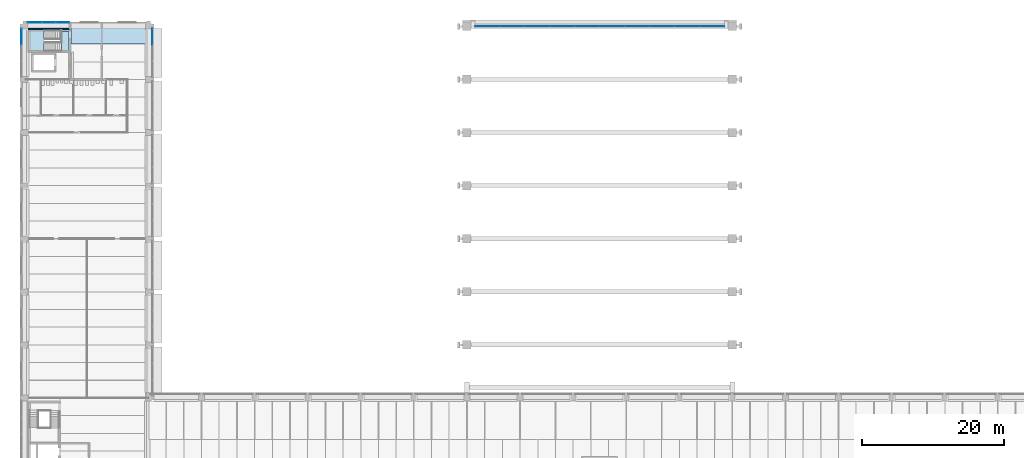
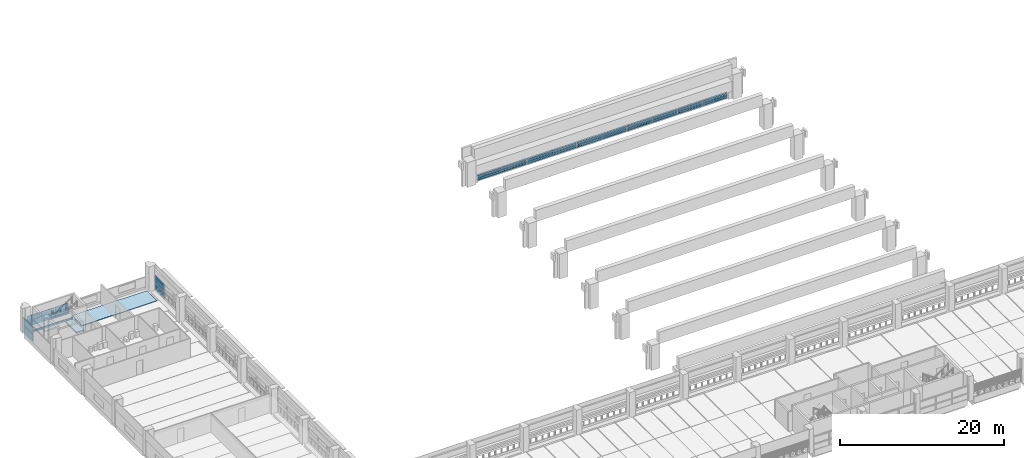
# One storey, part 29 of 61: 41 plates, 4 slabs, 9 elements without a shape of their own.
"""IFC4 building model written with IfcOpenShell, lengths in metres."""

import ifcopenshell
import ifcopenshell.guid

model = None  # the IFC model being written
_history = None  # IfcOwnerHistory: only IFC2X3 demands one
_inside = {}  # id of a spatial element -> (the spatial element, [elements in it])
_under = {}  # id of a project, library or spatial element -> (it, [spatial elements below it])
_declared = {}  # id of a project -> (the project, [libraries it declares])
_typed = {}  # id of a type object -> (the type object, [elements of that type])
_made_of = {}  # id of a material, layer set ... -> (it, [elements and type objects made of it])


def new_model(schema):
    """Start an empty IFC model of exactly this schema.

    Asked for "IFC4X3", IfcOpenShell would pick the latest addendum, in which some entities
    have other attributes; the version numbers below select the first issue.
    IFC2X3 requires an IfcOwnerHistory on every rooted entity: one is made here for all.
    """
    global model, _history
    if schema == "IFC4X3":
        model = ifcopenshell.file(schema_version=(4, 3, 0, 0))
    else:
        model = ifcopenshell.file(schema=schema)
    _inside.clear()
    _under.clear()
    _declared.clear()
    _typed.clear()
    _made_of.clear()
    _history = None
    if model.schema == "IFC2X3":
        org = make("IfcOrganization", Name="unknown")
        user = make(
            "IfcPersonAndOrganization",
            ThePerson=make("IfcPerson", FamilyName="unknown"),
            TheOrganization=org,
        )
        app = make(
            "IfcApplication",
            ApplicationDeveloper=org,
            Version="unknown",
            ApplicationFullName="unknown",
            ApplicationIdentifier="unknown",
        )
        _history = make(
            "IfcOwnerHistory",
            OwningUser=user,
            OwningApplication=app,
            ChangeAction="ADDED",
            CreationDate=0,
        )
    return model


def make(cls, **values):
    """One entity of the class cls with the attributes given. An attribute that is None is left unset."""
    return model.create_entity(
        cls, **{name: value for name, value in values.items() if value is not None}
    )


def rooted(cls, **values):
    """An entity with a GlobalId (a new one), such as an element, a storey or a relation."""
    return make(cls, GlobalId=ifcopenshell.guid.new(), OwnerHistory=_history, **values)


def si_unit(unit_type, name, prefix=None):
    """IfcSIUnit, for example si_unit("LENGTHUNIT", "METRE", prefix="MILLI")."""
    return make("IfcSIUnit", UnitType=unit_type, Prefix=prefix, Name=name)


def assignment(units):
    """IfcUnitAssignment: the units of a project."""
    return None if units is None else make("IfcUnitAssignment", Units=units)


def point(xyz):
    """IfcCartesianPoint."""
    return None if xyz is None else make("IfcCartesianPoint", Coordinates=xyz)


def direction(xyz):
    """IfcDirection."""
    return None if xyz is None else make("IfcDirection", DirectionRatios=xyz)


def frame(location, z_axis=None, x_axis=None):
    """IfcAxis2Placement3D, a coordinate frame: its origin and axes. An axis left out is left unset."""
    return make(
        "IfcAxis2Placement3D",
        Location=point(location),
        Axis=direction(z_axis),
        RefDirection=direction(x_axis),
    )


def frame_2d(location, x_axis=None):
    """IfcAxis2Placement2D, a coordinate frame in the plane: its origin and x axis."""
    return make(
        "IfcAxis2Placement2D", Location=point(location), RefDirection=direction(x_axis)
    )


def origin():
    """The frame at (0, 0, 0) with its axes left unset."""
    return frame((0.0, 0.0, 0.0))


def origin_2d():
    """The frame at (0, 0) in the plane with its x axis left unset."""
    return frame_2d((0.0, 0.0))


def place(relative_to, where):
    """IfcLocalPlacement: puts the frame where relative to a parent placement (None: the world)."""
    return make(
        "IfcLocalPlacement", PlacementRelTo=relative_to, RelativePlacement=where
    )


def context(
    kind, dimensions, precision=None, world=None, true_north=None, identifier=None
):
    """IfcGeometricRepresentationContext, for example the 3D "Model" context."""
    return make(
        "IfcGeometricRepresentationContext",
        ContextIdentifier=identifier,
        ContextType=kind,
        CoordinateSpaceDimension=dimensions,
        Precision=precision,
        WorldCoordinateSystem=world,
        TrueNorth=true_north,
    )


def subcontext(parent, identifier, kind, view, scale=None):
    """IfcGeometricRepresentationSubContext, for example "Body" below "Model"."""
    return make(
        "IfcGeometricRepresentationSubContext",
        ContextIdentifier=identifier,
        ContextType=kind,
        ParentContext=parent,
        TargetScale=scale,
        TargetView=view,
    )


def project(units=None, contexts=None):
    """IfcProject with its units and contexts."""
    return rooted(
        "IfcProject",
        Name="project",
        RepresentationContexts=contexts,
        UnitsInContext=assignment(units),
    )


def spatial(cls, under=None, at=None, **own):
    """A site, building, storey or space (cls), placed at a placement, below another one or the project."""
    s = rooted(cls, ObjectPlacement=at, **own)
    if under is not None:
        _under.setdefault(under.id(), (under, []))[1].append(s)
    return s


def polyline(points):
    """IfcPolyline through the points."""
    return make("IfcPolyline", Points=[point(p) for p in points])


def profile(cls, at=None, kind="AREA", **sizes):
    """A parametric profile (cls). Its sizes go by their IFC names, for example OverallWidth=200.0."""
    return make(cls, ProfileType=kind, Position=at, **sizes)


def rectangle(**sizes):
    """IfcRectangleProfileDef."""
    return profile("IfcRectangleProfileDef", **sizes)


def outline(outer, holes=None, kind="AREA"):
    """IfcArbitraryClosedProfileDef: a profile drawn as a closed curve; with holes, ...WithVoids."""
    if holes is None:
        return make("IfcArbitraryClosedProfileDef", ProfileType=kind, OuterCurve=outer)
    return make(
        "IfcArbitraryProfileDefWithVoids",
        ProfileType=kind,
        OuterCurve=outer,
        InnerCurves=holes,
    )


def extrude(swept, where, along, depth):
    """IfcExtrudedAreaSolid: the profile swept, set in the frame where, extruded along a direction by depth."""
    return make(
        "IfcExtrudedAreaSolid",
        SweptArea=swept,
        Position=where,
        ExtrudedDirection=direction(along),
        Depth=depth,
    )


def shape(context_of_items, identifier, shape_type, items):
    """IfcShapeRepresentation: the items that make up one representation, for example the "Body"."""
    return make(
        "IfcShapeRepresentation",
        ContextOfItems=context_of_items,
        RepresentationIdentifier=identifier,
        RepresentationType=shape_type,
        Items=items,
    )


def material(Name=None, Category=None):
    """IfcMaterial."""
    return make("IfcMaterial", Name=Name, Category=Category)


def layer(
    of_material, thickness, ventilated=None, Name=None, Category=None, Priority=None
):
    """IfcMaterialLayer: one layer of a wall or slab, of a material (None: an air gap)."""
    return make(
        "IfcMaterialLayer",
        Material=of_material,
        LayerThickness=thickness,
        IsVentilated=ventilated,
        Name=Name,
        Category=Category,
        Priority=Priority,
    )


def layer_set(layers, Name=None):
    """IfcMaterialLayerSet."""
    return make("IfcMaterialLayerSet", MaterialLayers=layers, LayerSetName=Name)


def material_profile(
    of_material, cross_section, Name=None, Category=None, Priority=None
):
    """IfcMaterialProfile: a cross section and its material."""
    return make(
        "IfcMaterialProfile",
        Name=Name,
        Material=of_material,
        Profile=cross_section,
        Priority=Priority,
        Category=Category,
    )


def profile_set(profiles, Name=None, composite=None):
    """IfcMaterialProfileSet."""
    return make(
        "IfcMaterialProfileSet",
        Name=Name,
        MaterialProfiles=profiles,
        CompositeProfile=composite,
    )


def made_of(thing, what):
    """Note that an element or type object is made of a material, layer set ...; save() writes the relation."""
    if what is not None:
        _made_of.setdefault(what.id(), (what, []))[1].append(thing)
    return thing


def type_object(cls, material=None, **own):
    """A type object (cls), such as IfcWallType, which elements share."""
    return made_of(rooted(cls, **own), material)


def element(
    cls,
    number,
    at=None,
    inside=None,
    cuts=None,
    type_object=None,
    material=None,
    context=None,
    identifier="Body",
    shape_type=None,
    held_by="IfcProductDefinitionShape",
    body=None,
    shapes=None,
    **own,
):
    """One element of the class cls, such as IfcWall. Its Tag is "e" and its number.

    at: its placement. inside: the storey or other place that contains it. cuts: it is an
    opening in that element (IfcRelVoidsElement). A single representation is given by context,
    identifier, shape_type and body (its items); several are given by shapes. held_by: the class
    of the entity that holds the representations. save() writes the other relations.
    """
    e = rooted(cls, Tag="e%d" % number, ObjectPlacement=at, **own)
    if body is not None:
        shapes = [shape(context, identifier, shape_type, body)]
    if shapes is not None:
        e.Representation = make(held_by, Representations=shapes)
    if inside is not None:
        _inside.setdefault(inside.id(), (inside, []))[1].append(e)
    if cuts is not None:
        rooted(
            "IfcRelVoidsElement", RelatingBuildingElement=cuts, RelatedOpeningElement=e
        )
    if type_object is not None:
        _typed.setdefault(type_object.id(), (type_object, []))[1].append(e)
    return made_of(e, material)


def aggregate(whole, parts):
    """IfcRelAggregates: a whole, such as a stair, and the parts it consists of."""
    return rooted("IfcRelAggregates", RelatingObject=whole, RelatedObjects=parts)


def save(model, path):
    """Write the relations noted so far, then the file.

    IfcRelAggregates (storeys below a building ...), IfcRelContainedInSpatialStructure (elements
    in a storey), IfcRelDefinesByType, IfcRelAssociatesMaterial and IfcRelDeclares: one each for
    every whole, place, type object, material and project.
    """
    for whole, parts in _under.values():
        aggregate(whole, parts)
    for where, things in _inside.values():
        rooted(
            "IfcRelContainedInSpatialStructure",
            RelatedElements=things,
            RelatingStructure=where,
        )
    for kind, things in _typed.values():
        rooted("IfcRelDefinesByType", RelatedObjects=things, RelatingType=kind)
    for what, things in _made_of.values():
        rooted("IfcRelAssociatesMaterial", RelatedObjects=things, RelatingMaterial=what)
    for by, libraries in _declared.values():
        rooted("IfcRelDeclares", RelatingContext=by, RelatedDefinitions=libraries)
    model.write(path)


model = new_model("IFC4")

# Units and contexts
model_context = context("Model", 3, precision=1e-05, world=origin(), true_north=direction((0.0, 1.0)))
body_context = subcontext(model_context, "Body", "Model", "MODEL_VIEW")
ifc_project = project(units=[si_unit("LENGTHUNIT", "METRE"), si_unit("AREAUNIT", "SQUARE_METRE"), si_unit("VOLUMEUNIT", "CUBIC_METRE"), si_unit("PLANEANGLEUNIT", "RADIAN"), si_unit("MASSUNIT", "GRAM", prefix="KILO")], contexts=[model_context])

# Site, building, storey
site_placement = place(None, origin())
site = spatial("IfcSite", under=ifc_project, at=site_placement, CompositionType="ELEMENT")
building_placement = place(site_placement, origin())
building = spatial("IfcBuilding", under=site, at=building_placement, Name="Cour d'Honneur Mobility Palace", CompositionType="ELEMENT")
storey_placement = place(building_placement, frame((0.0, 0.0, 11.89990234375)))
storey = spatial("IfcBuildingStorey", under=building, at=storey_placement, Name="L03", CompositionType="ELEMENT", Elevation=11.89990234375)

# Slabs
ifc_material_1 = material(Name="Concrete C50", Category="concrete")
ifc_layer_1 = layer(ifc_material_1, 0.25)
ifc_layer_set_1 = layer_set([ifc_layer_1], Name="Concrete C50")
slab_type_1 = type_object("IfcSlabType", Name="Cast-in-place Slab 250", PredefinedType="FLOOR", material=ifc_layer_set_1)
slab_1_placement = place(storey_placement, frame((0.0, 0.0, -0.25)))
element("IfcSlab", 1, at=slab_1_placement, inside=storey, type_object=slab_type_1, Name="Cast-in-place slab S1 L03 core", PredefinedType="FLOOR", context=body_context, shape_type="SweptSolid", body=[
    extrude(outline(polyline([(0.449951171875, 114.625), (6.300048828125, 114.625), (6.300048828125, 114.449951171875), (0.449951171875, 114.449951171875), (0.449951171875, 114.625)])), origin(), (0.0, 0.0, 1.0), 0.25),
])
slab_2_placement = place(storey_placement, frame((0.0, 0.0, -0.25)))
element("IfcSlab", 2, at=slab_2_placement, inside=storey, type_object=slab_type_1, Name="Cast-in-place slab S1 L03 core", PredefinedType="FLOOR", context=body_context, shape_type="SweptSolid", body=[
    extrude(outline(polyline([(6.175048828125, 111.52490234375), (5.10009765625, 111.52490234375), (5.10009765625, 114.199951171875), (6.175048828125, 114.199951171875), (6.175048828125, 111.52490234375)])), origin(), (0.0, 0.0, 1.0), 0.25),
])

# Curtain wall, plates
ifc_material_2 = material(Name="Aluminium and glass", Category="aluminium")
ifc_layer_2 = layer(ifc_material_2, 0.10009765625)
ifc_layer_set_2 = layer_set([ifc_layer_2], Name="Aluminium and glass")
curtain_wall_type = type_object("IfcCurtainWallType", Name="Curtain wall run", PredefinedType="NOTDEFINED", material=ifc_layer_set_2)
curtain_wall_1_placement = place(storey_placement, origin())
curtain_wall_1 = element("IfcCurtainWall", 3, at=curtain_wall_1_placement, inside=storey, type_object=curtain_wall_type, Name="Curtain wall CW-36", PredefinedType="NOTDEFINED")
ifc_material_3 = material(Name="Double glazing", Category="glass")
ifc_layer_3 = layer(ifc_material_3, 0.028076171875)
ifc_layer_set_3 = layer_set([ifc_layer_3], Name="Double glazing")
plate_type = type_object("IfcPlateType", Name="Curtain wall panel", PredefinedType="CURTAIN_PANEL", material=ifc_layer_set_3)
plate_1_placement = place(storey_placement, frame((17.949951171875, 113.43505859375, 0.06005859375), z_axis=(0.0, 0.0, 1.0), x_axis=(0.0, 1.0, 0.0)))
plate_1 = element("IfcPlate", 4, at=plate_1_placement, type_object=plate_type, Name="CW-36 panel 3.1", PredefinedType="CURTAIN_PANEL", context=body_context, shape_type="SweptSolid", body=[
    extrude(rectangle(XDim=2.2099609375, YDim=0.028076171875, at=origin_2d()), origin(), (0.0, 0.0, 1.0), 0.6767578125),
])
plate_2_placement = place(storey_placement, frame((17.949951171875, 113.43505859375, 0.796875), z_axis=(0.0, 0.0, 1.0), x_axis=(0.0, 1.0, 0.0)))
plate_2 = element("IfcPlate", 5, at=plate_2_placement, type_object=plate_type, Name="CW-36 panel 3.2", PredefinedType="CURTAIN_PANEL", context=body_context, shape_type="SweptSolid", body=[
    extrude(rectangle(XDim=2.2099609375, YDim=0.028076171875, at=origin_2d()), origin(), (0.0, 0.0, 1.0), 0.706787109375),
])
plate_3_placement = place(storey_placement, frame((17.949951171875, 113.43505859375, 1.5634765625), z_axis=(0.0, 0.0, 1.0), x_axis=(0.0, 1.0, 0.0)))
plate_3 = element("IfcPlate", 6, at=plate_3_placement, type_object=plate_type, Name="CW-36 panel 3.3", PredefinedType="CURTAIN_PANEL", context=body_context, shape_type="SweptSolid", body=[
    extrude(rectangle(XDim=2.2099609375, YDim=0.028076171875, at=origin_2d()), origin(), (0.0, 0.0, 1.0), 0.6767578125),
])
aggregate(curtain_wall_1, [plate_1, plate_2, plate_3])

curtain_wall_2_placement = place(storey_placement, origin())
curtain_wall_2 = element("IfcCurtainWall", 7, at=curtain_wall_2_placement, inside=storey, type_object=curtain_wall_type, Name="Curtain wall CW-128", PredefinedType="NOTDEFINED")
plate_4_placement = place(storey_placement, frame((5.284912109375, 115.449951171875, 0.06005859375), z_axis=(0.0, 0.0, 1.0), x_axis=(-1.0, 0.0, 0.0)))
plate_4 = element("IfcPlate", 8, at=plate_4_placement, type_object=plate_type, Name="CW-128 panel 1.1", PredefinedType="CURTAIN_PANEL", context=body_context, shape_type="SweptSolid", body=[
    extrude(rectangle(XDim=1.909912109375, YDim=0.028076171875, at=origin_2d()), origin(), (0.0, 0.0, 1.0), 0.760009765625),
])
plate_5_placement = place(storey_placement, frame((5.284912109375, 115.449951171875, 0.8798828125), z_axis=(0.0, 0.0, 1.0), x_axis=(-1.0, 0.0, 0.0)))
plate_5 = element("IfcPlate", 9, at=plate_5_placement, type_object=plate_type, Name="CW-128 panel 1.2", PredefinedType="CURTAIN_PANEL", context=body_context, shape_type="SweptSolid", body=[
    extrude(rectangle(XDim=1.909912109375, YDim=0.028076171875, at=origin_2d()), origin(), (0.0, 0.0, 1.0), 0.760009765625),
])
plate_6_placement = place(storey_placement, frame((3.300048828125, 115.449951171875, 0.06005859375), z_axis=(0.0, 0.0, 1.0), x_axis=(-1.0, 0.0, 0.0)))
plate_6 = element("IfcPlate", 10, at=plate_6_placement, type_object=plate_type, Name="CW-128 panel 2.1", PredefinedType="CURTAIN_PANEL", context=body_context, shape_type="SweptSolid", body=[
    extrude(rectangle(XDim=1.93994140625, YDim=0.028076171875, at=origin_2d()), origin(), (0.0, 0.0, 1.0), 0.760009765625),
])
plate_7_placement = place(storey_placement, frame((3.300048828125, 115.449951171875, 0.8798828125), z_axis=(0.0, 0.0, 1.0), x_axis=(-1.0, 0.0, 0.0)))
plate_7 = element("IfcPlate", 11, at=plate_7_placement, type_object=plate_type, Name="CW-128 panel 2.2", PredefinedType="CURTAIN_PANEL", context=body_context, shape_type="SweptSolid", body=[
    extrude(rectangle(XDim=1.93994140625, YDim=0.028076171875, at=origin_2d()), origin(), (0.0, 0.0, 1.0), 0.760009765625),
])
plate_8_placement = place(storey_placement, frame((1.31494140625, 115.449951171875, 0.06005859375), z_axis=(0.0, 0.0, 1.0), x_axis=(-1.0, 0.0, 0.0)))
plate_8 = element("IfcPlate", 12, at=plate_8_placement, type_object=plate_type, Name="CW-128 panel 3.1", PredefinedType="CURTAIN_PANEL", context=body_context, shape_type="SweptSolid", body=[
    extrude(rectangle(XDim=1.909912109375, YDim=0.028076171875, at=origin_2d()), origin(), (0.0, 0.0, 1.0), 0.760009765625),
])
plate_9_placement = place(storey_placement, frame((1.31494140625, 115.449951171875, 0.8798828125), z_axis=(0.0, 0.0, 1.0), x_axis=(-1.0, 0.0, 0.0)))
plate_9 = element("IfcPlate", 13, at=plate_9_placement, type_object=plate_type, Name="CW-128 panel 3.2", PredefinedType="CURTAIN_PANEL", context=body_context, shape_type="SweptSolid", body=[
    extrude(rectangle(XDim=1.909912109375, YDim=0.028076171875, at=origin_2d()), origin(), (0.0, 0.0, 1.0), 0.760009765625),
])
aggregate(curtain_wall_2, [plate_4, plate_5, plate_6, plate_7, plate_8, plate_9])

curtain_wall_3_placement = place(storey_placement, origin())
curtain_wall_3 = element("IfcCurtainWall", 14, at=curtain_wall_3_placement, inside=storey, type_object=curtain_wall_type, Name="Curtain wall CW-129", PredefinedType="NOTDEFINED")
plate_10_placement = place(storey_placement, frame((-0.550048828125, 113.43505859375, 0.06005859375), z_axis=(0.0, 0.0, 1.0), x_axis=(0.0, -1.0, 0.0)))
plate_10 = element("IfcPlate", 15, at=plate_10_placement, type_object=plate_type, Name="CW-129 panel 1.1", PredefinedType="CURTAIN_PANEL", context=body_context, shape_type="SweptSolid", body=[
    extrude(rectangle(XDim=2.2099609375, YDim=0.028076171875, at=origin_2d()), origin(), (0.0, 0.0, 1.0), 1.06005859375),
])
plate_11_placement = place(storey_placement, frame((-0.550048828125, 113.43505859375, 1.18017578125), z_axis=(0.0, 0.0, 1.0), x_axis=(0.0, -1.0, 0.0)))
plate_11 = element("IfcPlate", 16, at=plate_11_placement, type_object=plate_type, Name="CW-129 panel 1.2", PredefinedType="CURTAIN_PANEL", context=body_context, shape_type="SweptSolid", body=[
    extrude(rectangle(XDim=2.2099609375, YDim=0.028076171875, at=origin_2d()), origin(), (0.0, 0.0, 1.0), 1.06005859375),
])
aggregate(curtain_wall_3, [plate_10, plate_11])

curtain_wall_4_placement = place(storey_placement, origin())
curtain_wall_4 = element("IfcCurtainWall", 17, at=curtain_wall_4_placement, inside=storey, type_object=curtain_wall_type, Name="Curtain wall CW-181", PredefinedType="NOTDEFINED")
plate_12_placement = place(storey_placement, frame((65.280029296875, 114.89990234375, 0.06005859375), z_axis=(0.0, 0.0, 1.0), x_axis=(1.0, 0.0, 0.0)))
plate_12 = element("IfcPlate", 18, at=plate_12_placement, type_object=plate_type, Name="CW-181 panel 1.1", PredefinedType="CURTAIN_PANEL", context=body_context, shape_type="SweptSolid", body=[
    extrude(rectangle(XDim=3.43994140625, YDim=0.028076171875, at=origin_2d()), origin(), (0.0, 0.0, 1.0), 0.260009765625),
])
plate_13_placement = place(storey_placement, frame((65.280029296875, 114.89990234375, 0.380126953125), z_axis=(0.0, 0.0, 1.0), x_axis=(1.0, 0.0, 0.0)))
plate_13 = element("IfcPlate", 19, at=plate_13_placement, type_object=plate_type, Name="CW-181 panel 1.2", PredefinedType="CURTAIN_PANEL", context=body_context, shape_type="SweptSolid", body=[
    extrude(rectangle(XDim=3.43994140625, YDim=0.028076171875, at=origin_2d()), origin(), (0.0, 0.0, 1.0), 0.2900390625),
])
plate_14_placement = place(storey_placement, frame((65.280029296875, 114.89990234375, 0.72998046875), z_axis=(0.0, 0.0, 1.0), x_axis=(1.0, 0.0, 0.0)))
plate_14 = element("IfcPlate", 20, at=plate_14_placement, type_object=plate_type, Name="CW-181 panel 1.3", PredefinedType="CURTAIN_PANEL", context=body_context, shape_type="SweptSolid", body=[
    extrude(rectangle(XDim=3.43994140625, YDim=0.028076171875, at=origin_2d()), origin(), (0.0, 0.0, 1.0), 0.260009765625),
])
plate_15_placement = place(storey_placement, frame((68.780029296875, 114.89990234375, 0.06005859375), z_axis=(0.0, 0.0, 1.0), x_axis=(1.0, 0.0, 0.0)))
plate_15 = element("IfcPlate", 21, at=plate_15_placement, type_object=plate_type, Name="CW-181 panel 2.1", PredefinedType="CURTAIN_PANEL", context=body_context, shape_type="SweptSolid", body=[
    extrude(rectangle(XDim=3.43994140625, YDim=0.028076171875, at=origin_2d()), origin(), (0.0, 0.0, 1.0), 0.260009765625),
])
plate_16_placement = place(storey_placement, frame((68.780029296875, 114.89990234375, 0.380126953125), z_axis=(0.0, 0.0, 1.0), x_axis=(1.0, 0.0, 0.0)))
plate_16 = element("IfcPlate", 22, at=plate_16_placement, type_object=plate_type, Name="CW-181 panel 2.2", PredefinedType="CURTAIN_PANEL", context=body_context, shape_type="SweptSolid", body=[
    extrude(rectangle(XDim=3.43994140625, YDim=0.028076171875, at=origin_2d()), origin(), (0.0, 0.0, 1.0), 0.2900390625),
])
plate_17_placement = place(storey_placement, frame((68.780029296875, 114.89990234375, 0.72998046875), z_axis=(0.0, 0.0, 1.0), x_axis=(1.0, 0.0, 0.0)))
plate_17 = element("IfcPlate", 23, at=plate_17_placement, type_object=plate_type, Name="CW-181 panel 2.3", PredefinedType="CURTAIN_PANEL", context=body_context, shape_type="SweptSolid", body=[
    extrude(rectangle(XDim=3.43994140625, YDim=0.028076171875, at=origin_2d()), origin(), (0.0, 0.0, 1.0), 0.260009765625),
])
aggregate(curtain_wall_4, [plate_12, plate_13, plate_14, plate_15, plate_16, plate_17])

curtain_wall_5_placement = place(storey_placement, origin())
curtain_wall_5 = element("IfcCurtainWall", 24, at=curtain_wall_5_placement, inside=storey, type_object=curtain_wall_type, Name="Curtain wall CW-182", PredefinedType="NOTDEFINED")
plate_18_placement = place(storey_placement, frame((72.340087890625, 114.89990234375, 0.06005859375), z_axis=(0.0, 0.0, 1.0), x_axis=(1.0, 0.0, 0.0)))
plate_18 = element("IfcPlate", 25, at=plate_18_placement, type_object=plate_type, Name="CW-182 panel 1.1", PredefinedType="CURTAIN_PANEL", context=body_context, shape_type="SweptSolid", body=[
    extrude(rectangle(XDim=3.43994140625, YDim=0.028076171875, at=origin_2d()), origin(), (0.0, 0.0, 1.0), 0.260009765625),
])
plate_19_placement = place(storey_placement, frame((72.340087890625, 114.89990234375, 0.380126953125), z_axis=(0.0, 0.0, 1.0), x_axis=(1.0, 0.0, 0.0)))
plate_19 = element("IfcPlate", 26, at=plate_19_placement, type_object=plate_type, Name="CW-182 panel 1.2", PredefinedType="CURTAIN_PANEL", context=body_context, shape_type="SweptSolid", body=[
    extrude(rectangle(XDim=3.43994140625, YDim=0.028076171875, at=origin_2d()), origin(), (0.0, 0.0, 1.0), 0.2900390625),
])
plate_20_placement = place(storey_placement, frame((72.340087890625, 114.89990234375, 0.72998046875), z_axis=(0.0, 0.0, 1.0), x_axis=(1.0, 0.0, 0.0)))
plate_20 = element("IfcPlate", 27, at=plate_20_placement, type_object=plate_type, Name="CW-182 panel 1.3", PredefinedType="CURTAIN_PANEL", context=body_context, shape_type="SweptSolid", body=[
    extrude(rectangle(XDim=3.43994140625, YDim=0.028076171875, at=origin_2d()), origin(), (0.0, 0.0, 1.0), 0.260009765625),
])
plate_21_placement = place(storey_placement, frame((75.840087890625, 114.89990234375, 0.06005859375), z_axis=(0.0, 0.0, 1.0), x_axis=(1.0, 0.0, 0.0)))
plate_21 = element("IfcPlate", 28, at=plate_21_placement, type_object=plate_type, Name="CW-182 panel 2.1", PredefinedType="CURTAIN_PANEL", context=body_context, shape_type="SweptSolid", body=[
    extrude(rectangle(XDim=3.43994140625, YDim=0.028076171875, at=origin_2d()), origin(), (0.0, 0.0, 1.0), 0.260009765625),
])
plate_22_placement = place(storey_placement, frame((75.840087890625, 114.89990234375, 0.380126953125), z_axis=(0.0, 0.0, 1.0), x_axis=(1.0, 0.0, 0.0)))
plate_22 = element("IfcPlate", 29, at=plate_22_placement, type_object=plate_type, Name="CW-182 panel 2.2", PredefinedType="CURTAIN_PANEL", context=body_context, shape_type="SweptSolid", body=[
    extrude(rectangle(XDim=3.43994140625, YDim=0.028076171875, at=origin_2d()), origin(), (0.0, 0.0, 1.0), 0.2900390625),
])
plate_23_placement = place(storey_placement, frame((75.840087890625, 114.89990234375, 0.72998046875), z_axis=(0.0, 0.0, 1.0), x_axis=(1.0, 0.0, 0.0)))
plate_23 = element("IfcPlate", 30, at=plate_23_placement, type_object=plate_type, Name="CW-182 panel 2.3", PredefinedType="CURTAIN_PANEL", context=body_context, shape_type="SweptSolid", body=[
    extrude(rectangle(XDim=3.43994140625, YDim=0.028076171875, at=origin_2d()), origin(), (0.0, 0.0, 1.0), 0.260009765625),
])
aggregate(curtain_wall_5, [plate_18, plate_19, plate_20, plate_21, plate_22, plate_23])

curtain_wall_6_placement = place(storey_placement, origin())
curtain_wall_6 = element("IfcCurtainWall", 31, at=curtain_wall_6_placement, inside=storey, type_object=curtain_wall_type, Name="Curtain wall CW-183", PredefinedType="NOTDEFINED")
plate_24_placement = place(storey_placement, frame((79.39990234375, 114.89990234375, 0.06005859375), z_axis=(0.0, 0.0, 1.0), x_axis=(1.0, 0.0, 0.0)))
plate_24 = element("IfcPlate", 32, at=plate_24_placement, type_object=plate_type, Name="CW-183 panel 1.1", PredefinedType="CURTAIN_PANEL", context=body_context, shape_type="SweptSolid", body=[
    extrude(rectangle(XDim=3.43994140625, YDim=0.028076171875, at=origin_2d()), origin(), (0.0, 0.0, 1.0), 0.260009765625),
])
plate_25_placement = place(storey_placement, frame((79.39990234375, 114.89990234375, 0.380126953125), z_axis=(0.0, 0.0, 1.0), x_axis=(1.0, 0.0, 0.0)))
plate_25 = element("IfcPlate", 33, at=plate_25_placement, type_object=plate_type, Name="CW-183 panel 1.2", PredefinedType="CURTAIN_PANEL", context=body_context, shape_type="SweptSolid", body=[
    extrude(rectangle(XDim=3.43994140625, YDim=0.028076171875, at=origin_2d()), origin(), (0.0, 0.0, 1.0), 0.2900390625),
])
plate_26_placement = place(storey_placement, frame((79.39990234375, 114.89990234375, 0.72998046875), z_axis=(0.0, 0.0, 1.0), x_axis=(1.0, 0.0, 0.0)))
plate_26 = element("IfcPlate", 34, at=plate_26_placement, type_object=plate_type, Name="CW-183 panel 1.3", PredefinedType="CURTAIN_PANEL", context=body_context, shape_type="SweptSolid", body=[
    extrude(rectangle(XDim=3.43994140625, YDim=0.028076171875, at=origin_2d()), origin(), (0.0, 0.0, 1.0), 0.260009765625),
])
plate_27_placement = place(storey_placement, frame((82.89990234375, 114.89990234375, 0.06005859375), z_axis=(0.0, 0.0, 1.0), x_axis=(1.0, 0.0, 0.0)))
plate_27 = element("IfcPlate", 35, at=plate_27_placement, type_object=plate_type, Name="CW-183 panel 2.1", PredefinedType="CURTAIN_PANEL", context=body_context, shape_type="SweptSolid", body=[
    extrude(rectangle(XDim=3.43994140625, YDim=0.028076171875, at=origin_2d()), origin(), (0.0, 0.0, 1.0), 0.260009765625),
])
plate_28_placement = place(storey_placement, frame((82.89990234375, 114.89990234375, 0.380126953125), z_axis=(0.0, 0.0, 1.0), x_axis=(1.0, 0.0, 0.0)))
plate_28 = element("IfcPlate", 36, at=plate_28_placement, type_object=plate_type, Name="CW-183 panel 2.2", PredefinedType="CURTAIN_PANEL", context=body_context, shape_type="SweptSolid", body=[
    extrude(rectangle(XDim=3.43994140625, YDim=0.028076171875, at=origin_2d()), origin(), (0.0, 0.0, 1.0), 0.2900390625),
])
plate_29_placement = place(storey_placement, frame((82.89990234375, 114.89990234375, 0.72998046875), z_axis=(0.0, 0.0, 1.0), x_axis=(1.0, 0.0, 0.0)))
plate_29 = element("IfcPlate", 37, at=plate_29_placement, type_object=plate_type, Name="CW-183 panel 2.3", PredefinedType="CURTAIN_PANEL", context=body_context, shape_type="SweptSolid", body=[
    extrude(rectangle(XDim=3.43994140625, YDim=0.028076171875, at=origin_2d()), origin(), (0.0, 0.0, 1.0), 0.260009765625),
])
aggregate(curtain_wall_6, [plate_24, plate_25, plate_26, plate_27, plate_28, plate_29])

curtain_wall_7_placement = place(storey_placement, origin())
curtain_wall_7 = element("IfcCurtainWall", 38, at=curtain_wall_7_placement, inside=storey, type_object=curtain_wall_type, Name="Curtain wall CW-184", PredefinedType="NOTDEFINED")
plate_30_placement = place(storey_placement, frame((86.4599609375, 114.89990234375, 0.06005859375), z_axis=(0.0, 0.0, 1.0), x_axis=(1.0, 0.0, 0.0)))
plate_30 = element("IfcPlate", 39, at=plate_30_placement, type_object=plate_type, Name="CW-184 panel 1.1", PredefinedType="CURTAIN_PANEL", context=body_context, shape_type="SweptSolid", body=[
    extrude(rectangle(XDim=3.43994140625, YDim=0.028076171875, at=origin_2d()), origin(), (0.0, 0.0, 1.0), 0.260009765625),
])
plate_31_placement = place(storey_placement, frame((86.4599609375, 114.89990234375, 0.380126953125), z_axis=(0.0, 0.0, 1.0), x_axis=(1.0, 0.0, 0.0)))
plate_31 = element("IfcPlate", 40, at=plate_31_placement, type_object=plate_type, Name="CW-184 panel 1.2", PredefinedType="CURTAIN_PANEL", context=body_context, shape_type="SweptSolid", body=[
    extrude(rectangle(XDim=3.43994140625, YDim=0.028076171875, at=origin_2d()), origin(), (0.0, 0.0, 1.0), 0.2900390625),
])
plate_32_placement = place(storey_placement, frame((86.4599609375, 114.89990234375, 0.72998046875), z_axis=(0.0, 0.0, 1.0), x_axis=(1.0, 0.0, 0.0)))
plate_32 = element("IfcPlate", 41, at=plate_32_placement, type_object=plate_type, Name="CW-184 panel 1.3", PredefinedType="CURTAIN_PANEL", context=body_context, shape_type="SweptSolid", body=[
    extrude(rectangle(XDim=3.43994140625, YDim=0.028076171875, at=origin_2d()), origin(), (0.0, 0.0, 1.0), 0.260009765625),
])
plate_33_placement = place(storey_placement, frame((89.9599609375, 114.89990234375, 0.06005859375), z_axis=(0.0, 0.0, 1.0), x_axis=(1.0, 0.0, 0.0)))
plate_33 = element("IfcPlate", 42, at=plate_33_placement, type_object=plate_type, Name="CW-184 panel 2.1", PredefinedType="CURTAIN_PANEL", context=body_context, shape_type="SweptSolid", body=[
    extrude(rectangle(XDim=3.43994140625, YDim=0.028076171875, at=origin_2d()), origin(), (0.0, 0.0, 1.0), 0.260009765625),
])
plate_34_placement = place(storey_placement, frame((89.9599609375, 114.89990234375, 0.380126953125), z_axis=(0.0, 0.0, 1.0), x_axis=(1.0, 0.0, 0.0)))
plate_34 = element("IfcPlate", 43, at=plate_34_placement, type_object=plate_type, Name="CW-184 panel 2.2", PredefinedType="CURTAIN_PANEL", context=body_context, shape_type="SweptSolid", body=[
    extrude(rectangle(XDim=3.43994140625, YDim=0.028076171875, at=origin_2d()), origin(), (0.0, 0.0, 1.0), 0.2900390625),
])
plate_35_placement = place(storey_placement, frame((89.9599609375, 114.89990234375, 0.72998046875), z_axis=(0.0, 0.0, 1.0), x_axis=(1.0, 0.0, 0.0)))
plate_35 = element("IfcPlate", 44, at=plate_35_placement, type_object=plate_type, Name="CW-184 panel 2.3", PredefinedType="CURTAIN_PANEL", context=body_context, shape_type="SweptSolid", body=[
    extrude(rectangle(XDim=3.43994140625, YDim=0.028076171875, at=origin_2d()), origin(), (0.0, 0.0, 1.0), 0.260009765625),
])
aggregate(curtain_wall_7, [plate_30, plate_31, plate_32, plate_33, plate_34, plate_35])

curtain_wall_8_placement = place(storey_placement, origin())
curtain_wall_8 = element("IfcCurtainWall", 45, at=curtain_wall_8_placement, inside=storey, type_object=curtain_wall_type, Name="Curtain wall CW-185", PredefinedType="NOTDEFINED")
plate_36_placement = place(storey_placement, frame((93.52001953125, 114.89990234375, 0.06005859375), z_axis=(0.0, 0.0, 1.0), x_axis=(1.0, 0.0, 0.0)))
plate_36 = element("IfcPlate", 46, at=plate_36_placement, type_object=plate_type, Name="CW-185 panel 1.1", PredefinedType="CURTAIN_PANEL", context=body_context, shape_type="SweptSolid", body=[
    extrude(rectangle(XDim=3.43994140625, YDim=0.028076171875, at=origin_2d()), origin(), (0.0, 0.0, 1.0), 0.260009765625),
])
plate_37_placement = place(storey_placement, frame((93.52001953125, 114.89990234375, 0.380126953125), z_axis=(0.0, 0.0, 1.0), x_axis=(1.0, 0.0, 0.0)))
plate_37 = element("IfcPlate", 47, at=plate_37_placement, type_object=plate_type, Name="CW-185 panel 1.2", PredefinedType="CURTAIN_PANEL", context=body_context, shape_type="SweptSolid", body=[
    extrude(rectangle(XDim=3.43994140625, YDim=0.028076171875, at=origin_2d()), origin(), (0.0, 0.0, 1.0), 0.2900390625),
])
plate_38_placement = place(storey_placement, frame((93.52001953125, 114.89990234375, 0.72998046875), z_axis=(0.0, 0.0, 1.0), x_axis=(1.0, 0.0, 0.0)))
plate_38 = element("IfcPlate", 48, at=plate_38_placement, type_object=plate_type, Name="CW-185 panel 1.3", PredefinedType="CURTAIN_PANEL", context=body_context, shape_type="SweptSolid", body=[
    extrude(rectangle(XDim=3.43994140625, YDim=0.028076171875, at=origin_2d()), origin(), (0.0, 0.0, 1.0), 0.260009765625),
])
plate_39_placement = place(storey_placement, frame((97.02001953125, 114.89990234375, 0.06005859375), z_axis=(0.0, 0.0, 1.0), x_axis=(1.0, 0.0, 0.0)))
plate_39 = element("IfcPlate", 49, at=plate_39_placement, type_object=plate_type, Name="CW-185 panel 2.1", PredefinedType="CURTAIN_PANEL", context=body_context, shape_type="SweptSolid", body=[
    extrude(rectangle(XDim=3.43994140625, YDim=0.028076171875, at=origin_2d()), origin(), (0.0, 0.0, 1.0), 0.260009765625),
])
plate_40_placement = place(storey_placement, frame((97.02001953125, 114.89990234375, 0.380126953125), z_axis=(0.0, 0.0, 1.0), x_axis=(1.0, 0.0, 0.0)))
plate_40 = element("IfcPlate", 50, at=plate_40_placement, type_object=plate_type, Name="CW-185 panel 2.2", PredefinedType="CURTAIN_PANEL", context=body_context, shape_type="SweptSolid", body=[
    extrude(rectangle(XDim=3.43994140625, YDim=0.028076171875, at=origin_2d()), origin(), (0.0, 0.0, 1.0), 0.2900390625),
])
plate_41_placement = place(storey_placement, frame((97.02001953125, 114.89990234375, 0.72998046875), z_axis=(0.0, 0.0, 1.0), x_axis=(1.0, 0.0, 0.0)))
plate_41 = element("IfcPlate", 51, at=plate_41_placement, type_object=plate_type, Name="CW-185 panel 2.3", PredefinedType="CURTAIN_PANEL", context=body_context, shape_type="SweptSolid", body=[
    extrude(rectangle(XDim=3.43994140625, YDim=0.028076171875, at=origin_2d()), origin(), (0.0, 0.0, 1.0), 0.260009765625),
])
aggregate(curtain_wall_8, [plate_36, plate_37, plate_38, plate_39, plate_40, plate_41])

# Slab
ifc_material_4 = material(Name="Concrete C45", Category="concrete")
ifc_material_profile = material_profile(ifc_material_4, outline(polyline([(-1.2451171875, 0.0), (1.2451171875, 0.0), (1.2451171875, -0.10009765625), (0.679931640625, -0.10009765625), (0.64990234375, -0.60009765625), (0.550048828125, -0.60009765625), (0.52001953125, -0.10009765625), (-0.52001953125, -0.10009765625), (-0.550048828125, -0.60009765625), (-0.64990234375, -0.60009765625), (-0.679931640625, -0.10009765625), (-1.2451171875, -0.10009765625), (-1.2451171875, 0.0)])), Name="DT 2490x600")
ifc_profile_set = profile_set([ifc_material_profile], Name="Concrete C45")
slab_type_2 = type_object("IfcSlabType", Name="DT 2490x600", PredefinedType="FLOOR", material=ifc_profile_set)
slab_3_placement = place(storey_placement, frame((6.425048828125, 113.64990234375, 0.0), z_axis=(1.0, 0.0, 0.0), x_axis=(0.0, 1.0, 0.0)))
element("IfcSlab", 52, at=slab_3_placement, inside=storey, type_object=slab_type_2, Name="Double tee DT-NW21 L03", PredefinedType="FLOOR", context=body_context, shape_type="SweptSolid", body=[
    extrude(outline(polyline([(-1.2451171875, 0.0), (1.2451171875, 0.0), (1.2451171875, -0.10009765625), (0.679931640625, -0.10009765625), (0.64990234375, -0.60009765625), (0.550048828125, -0.60009765625), (0.52001953125, -0.10009765625), (-0.52001953125, -0.10009765625), (-0.550048828125, -0.60009765625), (-0.64990234375, -0.60009765625), (-0.679931640625, -0.10009765625), (-1.2451171875, -0.10009765625), (-1.2451171875, 0.0)])), origin(), (0.0, 0.0, 1.0), 10.52490234375),
])

# Stair, slab
ifc_material_5 = material(Name="Concrete C50", Category="concrete")
stair_type = type_object("IfcStairType", Name="Stair 20 risers", PredefinedType="HALF_TURN_STAIR", material=ifc_material_5)
stair_placement = place(storey_placement, origin())
stair = element("IfcStair", 53, at=stair_placement, inside=storey, type_object=stair_type, Name="Stair ST-NW1", PredefinedType="HALF_TURN_STAIR")
ifc_material_6 = material(Name="Concrete C50", Category="concrete")
ifc_layer_4 = layer(ifc_material_6, 0.199951171875)
ifc_layer_set_4 = layer_set([ifc_layer_4], Name="Concrete C50")
slab_type_3 = type_object("IfcSlabType", Name="Stair landing", PredefinedType="LANDING", material=ifc_layer_set_4)
slab_4_placement = place(storey_placement, frame((0.0, 0.0, 1.650146484375)))
slab_4 = element("IfcSlab", 54, at=slab_4_placement, type_object=slab_type_3, Name="ST-NW1 landing 1", PredefinedType="LANDING", context=body_context, shape_type="SweptSolid", body=[
    extrude(outline(polyline([(0.574951171875, 111.39990234375), (2.669921875, 111.39990234375), (2.669921875, 114.324951171875), (0.574951171875, 114.324951171875), (0.574951171875, 111.39990234375)])), origin(), (0.0, 0.0, 1.0), 0.199951171875),
])
aggregate(stair, [slab_4])

save(model, "model.ifc")
